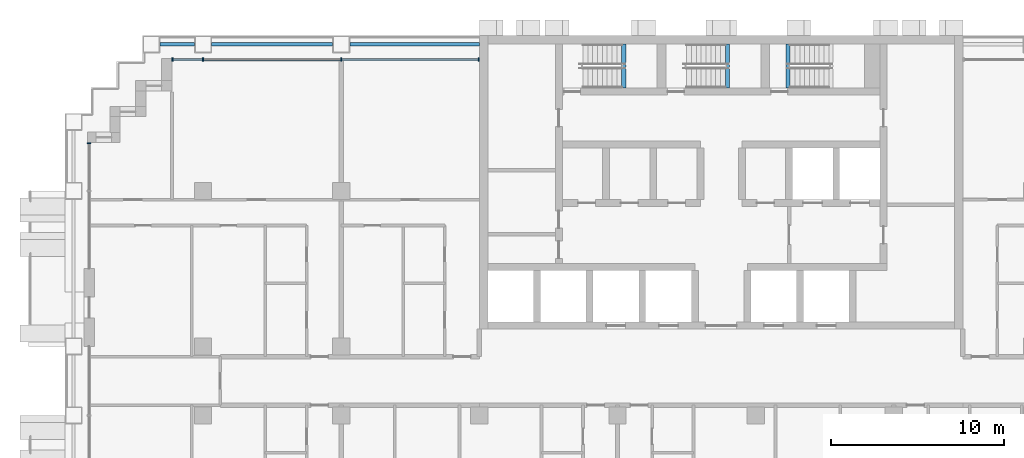
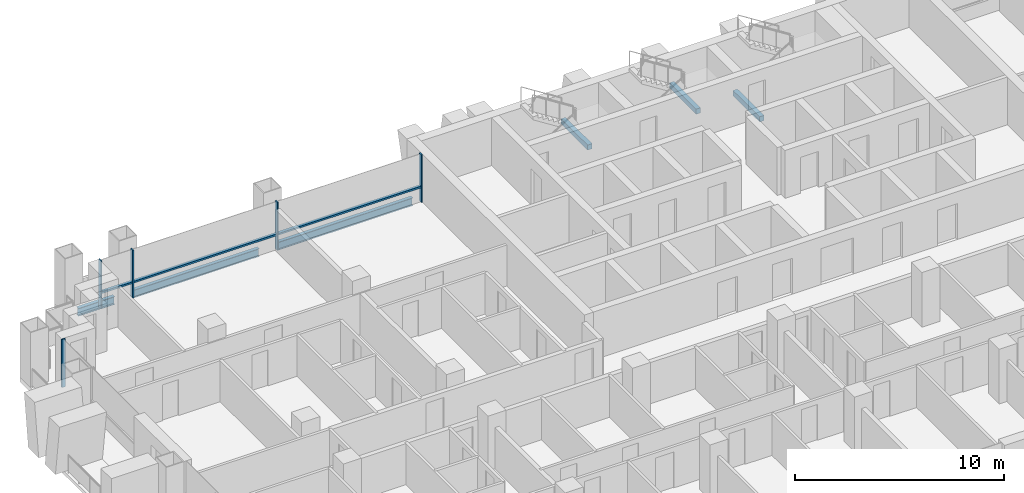
# One storey, part 4 of 19: 8 members, 6 beams, 2 elements without a shape of their own.
"""IFC4 building model written with IfcOpenShell, lengths in metres."""

from ifc_helpers import new_model, si_unit, direction, frame, origin, origin_2d, place, context, subcontext, project, spatial, rectangle, i_section, extrude, material, material_profile, profile_set, type_object, element, aggregate, save


model = new_model("IFC4")

# Units and contexts
model_context = context("Model", 3, precision=1e-05, world=origin(), true_north=direction((0.0, 1.0)))
body_context = subcontext(model_context, "Body", "Model", "MODEL_VIEW")
ifc_project = project(units=[si_unit("LENGTHUNIT", "METRE"), si_unit("AREAUNIT", "SQUARE_METRE"), si_unit("VOLUMEUNIT", "CUBIC_METRE"), si_unit("PLANEANGLEUNIT", "RADIAN"), si_unit("MASSUNIT", "GRAM", prefix="KILO")], contexts=[model_context])

# Site, building, storey
site_placement = place(None, origin())
site = spatial("IfcSite", under=ifc_project, at=site_placement, CompositionType="ELEMENT")
building_placement = place(site_placement, origin())
building = spatial("IfcBuilding", under=site, at=building_placement, Name="Vidyagriha Tower", CompositionType="ELEMENT")
storey_placement = place(building_placement, frame((0.0, 0.0, 60.800048828125)))
storey = spatial("IfcBuildingStorey", under=building, at=storey_placement, Name="L16", CompositionType="ELEMENT", Elevation=60.800048828125)

# Beams
ifc_material_1 = material(Name="Steel ASTM A992 Grade 50", Category="steel")
ifc_material_profile_1 = material_profile(ifc_material_1, i_section(OverallWidth=0.19189453125, OverallDepth=0.46240234375, WebThickness=0.010498046875, FlangeThickness=0.017578125, at=origin_2d()), Name="W18X60")
ifc_profile_set_1 = profile_set([ifc_material_profile_1], Name="Steel ASTM A992 Grade 50")
beam_type_1 = type_object("IfcBeamType", Name="Edge beam W18X60", PredefinedType="SPANDREL", material=ifc_profile_set_1)
beam_1_placement = place(storey_placement, frame((-32.5, 19.5, -0.51123046875), z_axis=(1.0, 0.0, 0.0), x_axis=(0.0, 1.0, 0.0)))
element("IfcBeam", 1, at=beam_1_placement, inside=storey, type_object=beam_type_1, Name="st-beam-L16-NW20", PredefinedType="SPANDREL", context=body_context, shape_type="SweptSolid", body=[
    extrude(i_section(OverallWidth=0.19189453125, OverallDepth=0.46240234375, WebThickness=0.010498046875, FlangeThickness=0.017578125, at=origin_2d()), origin(), (0.0, 0.0, 1.0), 2.0),
])
beam_2_placement = place(storey_placement, frame((-29.5, 19.5, -0.51123046875), z_axis=(1.0, 0.0, 0.0), x_axis=(0.0, 1.0, 0.0)))
element("IfcBeam", 2, at=beam_2_placement, inside=storey, type_object=beam_type_1, Name="st-beam-L16-NW21", PredefinedType="SPANDREL", context=body_context, shape_type="SweptSolid", body=[
    extrude(i_section(OverallWidth=0.19189453125, OverallDepth=0.46240234375, WebThickness=0.010498046875, FlangeThickness=0.017578125, at=origin_2d()), origin(), (0.0, 0.0, 1.0), 7.0),
])
beam_3_placement = place(storey_placement, frame((-21.5, 19.5, -0.51123046875), z_axis=(1.0, 0.0, 0.0), x_axis=(0.0, 1.0, 0.0)))
element("IfcBeam", 3, at=beam_3_placement, inside=storey, type_object=beam_type_1, Name="st-beam-L16-NC24", PredefinedType="SPANDREL", context=body_context, shape_type="SweptSolid", body=[
    extrude(i_section(OverallWidth=0.19189453125, OverallDepth=0.46240234375, WebThickness=0.010498046875, FlangeThickness=0.017578125, at=origin_2d()), origin(), (0.0, 0.0, 1.0), 7.5),
])

# Curtain wall, members
ifc_material_2 = material(Name="Aluminium and glass curtain wall", Category="aluminium")
curtain_wall_type = type_object("IfcCurtainWallType", Name="Dwelling skin unitised curtain wall", PredefinedType="USERDEFINED", material=ifc_material_2)
curtain_wall_1_placement = place(storey_placement, origin())
curtain_wall_1 = element("IfcCurtainWall", 4, at=curtain_wall_1_placement, inside=storey, type_object=curtain_wall_type, Name="CW1 dwelling skin", ObjectType="UNITISED", PredefinedType="USERDEFINED")
ifc_material_3 = material(Name="Aluminium black anodised", Category="aluminium")
ifc_material_profile_2 = material_profile(ifc_material_3, rectangle(XDim=0.199951171875, YDim=0.070068359375, at=origin_2d()), Name="Mullion 70x200 black aluminium")
ifc_profile_set_2 = profile_set([ifc_material_profile_2], Name="Aluminium black anodised")
member_type_1 = type_object("IfcMemberType", Name="Mullion 70x200 black aluminium", PredefinedType="MULLION", material=ifc_profile_set_2)
member_1_placement = place(storey_placement, frame((-14.034912109375, 18.60009765625, 0.0), z_axis=(0.0, 0.0, 1.0), x_axis=(0.0, -1.0, 0.0)))
member_1 = element("IfcMember", 5, at=member_1_placement, type_object=member_type_1, Name="CW1 mullion 1", PredefinedType="MULLION", context=body_context, shape_type="SweptSolid", body=[
    extrude(rectangle(XDim=0.199951171875, YDim=0.070068359375, at=origin_2d()), origin(), (0.0, 0.0, 1.0), 2.800048828125),
])
member_2_placement = place(storey_placement, frame((-22.0, 18.60009765625, 0.0), z_axis=(0.0, 0.0, 1.0), x_axis=(0.0, -1.0, 0.0)))
member_2 = element("IfcMember", 6, at=member_2_placement, type_object=member_type_1, Name="CW1 mullion 2", PredefinedType="MULLION", context=body_context, shape_type="SweptSolid", body=[
    extrude(rectangle(XDim=0.199951171875, YDim=0.070068359375, at=origin_2d()), origin(), (0.0, 0.0, 1.0), 2.800048828125),
])
member_3_placement = place(storey_placement, frame((-30.0, 18.60009765625, 0.0), z_axis=(0.0, 0.0, 1.0), x_axis=(0.0, -1.0, 0.0)))
member_3 = element("IfcMember", 7, at=member_3_placement, type_object=member_type_1, Name="CW1 mullion 3", PredefinedType="MULLION", context=body_context, shape_type="SweptSolid", body=[
    extrude(rectangle(XDim=0.199951171875, YDim=0.070068359375, at=origin_2d()), origin(), (0.0, 0.0, 1.0), 2.800048828125),
])
member_4_placement = place(storey_placement, frame((-31.764892578125, 18.60009765625, 0.0), z_axis=(0.0, 0.0, 1.0), x_axis=(0.0, -1.0, 0.0)))
member_4 = element("IfcMember", 8, at=member_4_placement, type_object=member_type_1, Name="CW1 mullion 4", PredefinedType="MULLION", context=body_context, shape_type="SweptSolid", body=[
    extrude(rectangle(XDim=0.199951171875, YDim=0.070068359375, at=origin_2d()), origin(), (0.0, 0.0, 1.0), 2.800048828125),
])

# Curtain wall, member
curtain_wall_2_placement = place(storey_placement, origin())
curtain_wall_2 = element("IfcCurtainWall", 9, at=curtain_wall_2_placement, inside=storey, type_object=curtain_wall_type, Name="CW1 dwelling skin", ObjectType="UNITISED", PredefinedType="USERDEFINED")
member_5_placement = place(storey_placement, frame((-36.60009765625, 13.764892578125, 0.0)))
member_5 = element("IfcMember", 10, at=member_5_placement, type_object=member_type_1, Name="CW1 mullion 1", PredefinedType="MULLION", context=body_context, shape_type="SweptSolid", body=[
    extrude(rectangle(XDim=0.199951171875, YDim=0.070068359375, at=origin_2d()), origin(), (0.0, 0.0, 1.0), 2.800048828125),
])
aggregate(curtain_wall_2, [member_5])

# Beams
ifc_material_4 = material(Name="Concrete C40/50", Category="concrete")
ifc_material_profile_3 = material_profile(ifc_material_4, rectangle(XDim=0.25, YDim=0.300048828125, at=origin_2d()), Name="Stair landing bearing beam 250x300")
ifc_profile_set_3 = profile_set([ifc_material_profile_3], Name="Concrete C40/50")
beam_type_2 = type_object("IfcBeamType", Name="Stair landing bearing beam 250x300", PredefinedType="BEAM", material=ifc_profile_set_3)
for number, where, z_axis, x_axis, name in (
    (11, (3.875, 16.949951171875, -0.429931640625), (0.0, 1.0, 0.0), (-1.0, 0.0, 0.0), "ST3 floor landing bearing beam L16"),
    (12, (-5.635009765625, 16.949951171875, 1.25), (0.0, 1.0, 0.0), (-1.0, 0.0, 0.0), "ST1 landing bearing beam L16"),
    (13, (0.364990234375, 16.949951171875, 1.25), (0.0, 1.0, 0.0), (-1.0, 0.0, 0.0), "ST2 landing bearing beam L16"),
):
    element("IfcBeam", number, at=place(storey_placement, frame(where, z_axis=z_axis, x_axis=x_axis)), inside=storey, type_object=beam_type_2, Name=name, PredefinedType="BEAM", context=body_context, shape_type="SweptSolid", body=[
        extrude(rectangle(XDim=0.25, YDim=0.300048828125, at=origin_2d()), origin(), (0.0, 0.0, 1.0), 2.550048828125),
    ])

# Member
ifc_material_5 = material(Name="Aluminium black anodised", Category="aluminium")
ifc_material_profile_4 = material_profile(ifc_material_5, rectangle(XDim=0.159912109375, YDim=0.10009765625, at=origin_2d()), Name="Transom 100x160 black aluminium")
ifc_profile_set_4 = profile_set([ifc_material_profile_4], Name="Aluminium black anodised")
member_type_2 = type_object("IfcMemberType", Name="Transom 100x160 black aluminium", PredefinedType="USERDEFINED", material=ifc_profile_set_4)
member_6_placement = place(storey_placement, frame((-14.070068359375, 18.60009765625, 0.89990234375), z_axis=(-1.0, 0.0, 0.0), x_axis=(0.0, -1.0, 0.0)))
member_6 = element("IfcMember", 14, at=member_6_placement, type_object=member_type_2, Name="CW1 transom 1.1", ObjectType="TRANSOM", PredefinedType="USERDEFINED", context=body_context, shape_type="SweptSolid", body=[
    extrude(rectangle(XDim=0.159912109375, YDim=0.10009765625, at=origin_2d()), origin(), (0.0, 0.0, 1.0), 7.89501953125),
])

member_7_placement = place(storey_placement, frame((-22.034912109375, 18.60009765625, 0.89990234375), z_axis=(-1.0, 0.0, 0.0), x_axis=(0.0, -1.0, 0.0)))
member_7 = element("IfcMember", 15, at=member_7_placement, type_object=member_type_2, Name="CW1 transom 2.1", ObjectType="TRANSOM", PredefinedType="USERDEFINED", context=body_context, shape_type="SweptSolid", body=[
    extrude(rectangle(XDim=0.159912109375, YDim=0.10009765625, at=origin_2d()), origin(), (0.0, 0.0, 1.0), 7.93017578125),
])

member_8_placement = place(storey_placement, frame((-30.034912109375, 18.60009765625, 0.89990234375), z_axis=(-1.0, 0.0, 0.0), x_axis=(0.0, -1.0, 0.0)))
member_8 = element("IfcMember", 16, at=member_8_placement, type_object=member_type_2, Name="CW1 transom 3.1", ObjectType="TRANSOM", PredefinedType="USERDEFINED", context=body_context, shape_type="SweptSolid", body=[
    extrude(rectangle(XDim=0.159912109375, YDim=0.10009765625, at=origin_2d()), origin(), (0.0, 0.0, 1.0), 1.695068359375),
])

aggregate(curtain_wall_1, [member_1, member_2, member_3, member_4, member_6, member_7, member_8])

save(model, "model.ifc")
